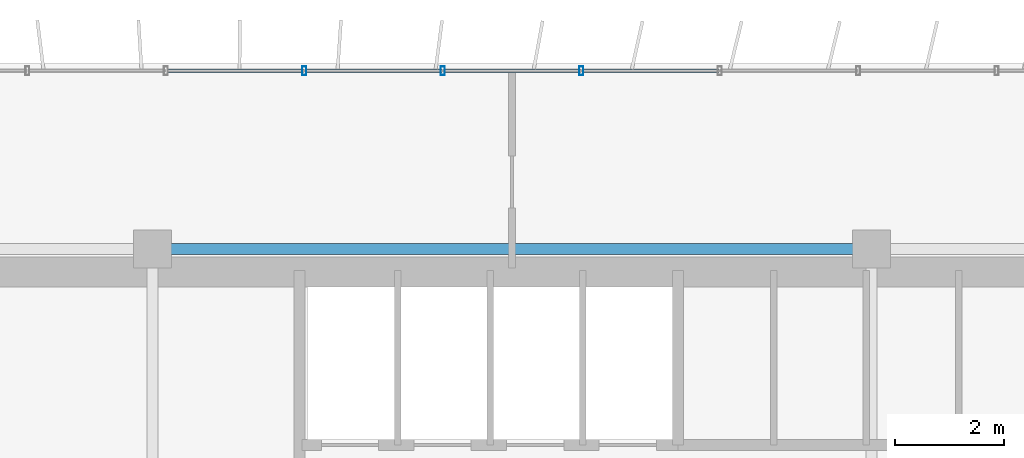
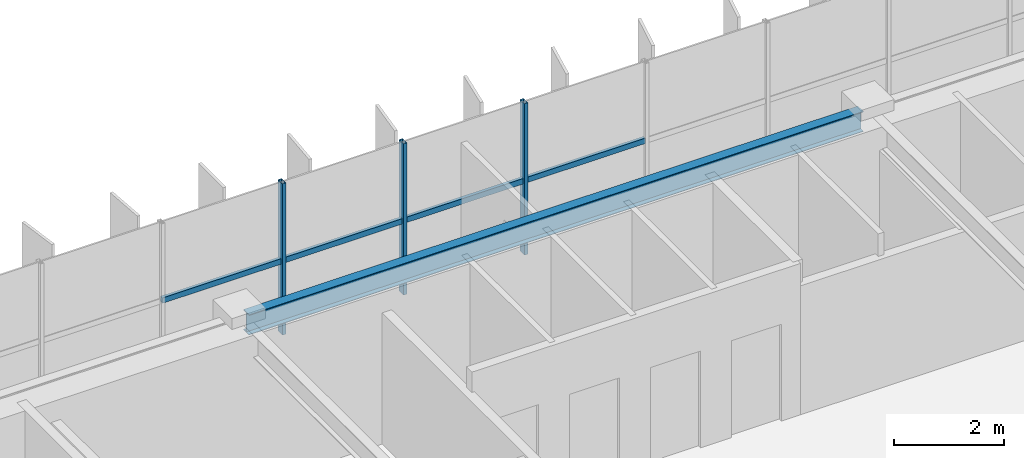
# One storey, part 19 of 34: 7 members, 1 beam, 1 element without a shape of its own.
"""IFC4 building model written with IfcOpenShell, lengths in metres."""

from ifc_helpers import new_model, si_unit, direction, frame, origin, origin_2d, place, context, subcontext, project, spatial, hollow_rectangle, i_section, extrude, source, transform, mapped, material, material_profile, profile_set, type_object, element, aggregate, save


model = new_model("IFC4")

# Units and contexts
model_context = context("Model", 3, precision=1e-05, world=origin(), true_north=direction((0.0, 1.0)))
body_context = subcontext(model_context, "Body", "Model", "MODEL_VIEW")
ifc_project = project(units=[si_unit("LENGTHUNIT", "METRE"), si_unit("AREAUNIT", "SQUARE_METRE"), si_unit("VOLUMEUNIT", "CUBIC_METRE"), si_unit("PLANEANGLEUNIT", "RADIAN"), si_unit("MASSUNIT", "GRAM", prefix="KILO")], contexts=[model_context])

# Site, building, storey
site_placement = place(None, origin())
site = spatial("IfcSite", under=ifc_project, at=site_placement, CompositionType="ELEMENT")
building_placement = place(site_placement, origin())
building = spatial("IfcBuilding", under=site, at=building_placement, Name="Trelvane Seafront Commons", CompositionType="ELEMENT")
storey_placement = place(building_placement, frame((0.0, 0.0, 197.699951171875)))
storey = spatial("IfcBuildingStorey", under=building, at=storey_placement, Name="L51", CompositionType="ELEMENT", Elevation=197.699951171875)

# Beam
ifc_material_1 = material(Name="Steel SM355 (S355)", Category="steel")
ifc_material_profile_1 = material_profile(ifc_material_1, i_section(OverallWidth=0.199951171875, OverallDepth=0.449951171875, WebThickness=0.009033203125, FlangeThickness=0.013916015625, at=origin_2d()), Name="H-450x200x9x14")
ifc_profile_set_1 = profile_set([ifc_material_profile_1], Name="Steel SM355 (S355)")
beam_type = type_object("IfcBeamType", Name="STR-SPD-H450", PredefinedType="SPANDREL", material=ifc_profile_set_1)
shared_shape_1 = source(origin(), body_context, "Body", "SweptSolid", [
    extrude(i_section(OverallWidth=0.199951171875, OverallDepth=0.449951171875, WebThickness=0.009033203125, FlangeThickness=0.013916015625, at=origin_2d()), origin(), (0.0, 0.0, 1.0), 12.89990234375),
])
beam_placement = place(storey_placement, frame((30.75, 45.10009765625, 3.135009765625), z_axis=(1.0, 0.0, 0.0), x_axis=(0.0, 1.0, 0.0)))
element("IfcBeam", 1, at=beam_placement, inside=storey, type_object=beam_type, Name="L51 Primary Girder G-25", PredefinedType="SPANDREL", context=body_context, shape_type="MappedRepresentation", body=[
    mapped(shared_shape_1, transform((0.0, 0.0, 0.0), x_axis=(1.0, 0.0, 0.0), y_axis=(0.0, 1.0, 0.0), z_axis=(0.0, 0.0, 1.0), scale=1.0)),
])

# Curtain wall, members
ifc_material_2 = material(Name="Anodised pale-silver aluminium", Category="aluminium")
curtain_wall_type = type_object("IfcCurtainWallType", Name="ARCH-CW5-UPTOWER", PredefinedType="NOTDEFINED", material=ifc_material_2)
curtain_wall_placement = place(storey_placement, origin())
curtain_wall = element("IfcCurtainWall", 2, at=curtain_wall_placement, inside=storey, type_object=curtain_wall_type, Name="CW-L51-0084", PredefinedType="NOTDEFINED")
ifc_material_profile_2 = material_profile(ifc_material_2, hollow_rectangle(XDim=0.070068359375, YDim=0.1201171875, WallThickness=0.00390625, at=origin_2d()), Name="TRAN-70x120x4")
ifc_profile_set_2 = profile_set([ifc_material_profile_2], Name="Anodised pale-silver aluminium")
member_type_1 = type_object("IfcMemberType", Name="ARCH-CW-TRAN-120", PredefinedType="USERDEFINED", material=ifc_profile_set_2)
shared_shape_2 = source(origin(), body_context, "Body", "SweptSolid", [
    extrude(hollow_rectangle(XDim=0.070068359375, YDim=0.1201171875, WallThickness=0.00390625, at=origin_2d()), origin(), (0.0, 0.0, 1.0), 2.51708984375),
])
member_1_placement = place(storey_placement, frame((30.859130859375, 48.3701171875, 1.613037109375), z_axis=(1.0, 0.0, 0.0), x_axis=(0.0, 1.0, 0.0)))
member_1 = element("IfcMember", 3, at=member_1_placement, type_object=member_type_1, Name="CW-L51-0084-T06", ObjectType="TRANSOM", PredefinedType="USERDEFINED", context=body_context, shape_type="MappedRepresentation", body=[
    mapped(shared_shape_2, transform((0.0, 0.0, 0.0), x_axis=(1.0, 0.0, 0.0), y_axis=(0.0, 1.0, 0.0), z_axis=(0.0, 0.0, 1.0), scale=1.0)),
])
member_2_placement = place(storey_placement, frame((35.94140625, 48.3701171875, 1.613037109375), z_axis=(1.0, 0.0, 0.0), x_axis=(0.0, 1.0, 0.0)))
member_2 = element("IfcMember", 4, at=member_2_placement, type_object=member_type_1, Name="CW-L51-0084-T08", ObjectType="TRANSOM", PredefinedType="USERDEFINED", context=body_context, shape_type="MappedRepresentation", body=[
    mapped(shared_shape_2, transform((0.0, 0.0, 0.0), x_axis=(1.0, 0.0, 0.0), y_axis=(0.0, 1.0, 0.0), z_axis=(0.0, 0.0, 1.0), scale=1.0)),
])
member_3_placement = place(storey_placement, frame((38.482666015625, 48.3701171875, 1.613037109375), z_axis=(1.0, 0.0, 0.0), x_axis=(0.0, 1.0, 0.0)))
member_3 = element("IfcMember", 5, at=member_3_placement, type_object=member_type_1, Name="CW-L51-0084-T09", ObjectType="TRANSOM", PredefinedType="USERDEFINED", context=body_context, shape_type="MappedRepresentation", body=[
    mapped(shared_shape_2, transform((0.0, 0.0, 0.0), x_axis=(1.0, 0.0, 0.0), y_axis=(0.0, 1.0, 0.0), z_axis=(0.0, 0.0, 1.0), scale=1.0)),
])
shared_shape_3 = source(origin(), body_context, "Body", "SweptSolid", [
    extrude(hollow_rectangle(XDim=0.070068359375, YDim=0.1201171875, WallThickness=0.00390625, at=origin_2d()), origin(), (0.0, 0.0, 1.0), 2.517333984375),
])
member_4_placement = place(storey_placement, frame((33.400146484375, 48.3701171875, 1.613037109375), z_axis=(1.0, 0.0, 0.0), x_axis=(0.0, 1.0, 0.0)))
member_4 = element("IfcMember", 6, at=member_4_placement, type_object=member_type_1, Name="CW-L51-0084-T07", ObjectType="TRANSOM", PredefinedType="USERDEFINED", context=body_context, shape_type="MappedRepresentation", body=[
    mapped(shared_shape_3, transform((0.0, 0.0, 0.0), x_axis=(1.0, 0.0, 0.0), y_axis=(0.0, 1.0, 0.0), z_axis=(0.0, 0.0, 1.0), scale=1.0)),
])
ifc_material_profile_3 = material_profile(ifc_material_2, hollow_rectangle(XDim=0.074951171875, YDim=0.159912109375, WallThickness=0.00390625, at=origin_2d()), Name="MULL-75x160x4")
ifc_profile_set_3 = profile_set([ifc_material_profile_3], Name="Anodised pale-silver aluminium")
member_type_2 = type_object("IfcMemberType", Name="ARCH-CW-MULL-160", PredefinedType="MULLION", material=ifc_profile_set_3)
shared_shape_4 = source(origin(), body_context, "Body", "SweptSolid", [
    extrude(hollow_rectangle(XDim=0.074951171875, YDim=0.159912109375, WallThickness=0.00390625, at=origin_2d()), origin(), (0.0, 0.0, 1.0), 3.360107421875),
])
member_5_placement = place(storey_placement, frame((33.38818359375, 48.3701171875, 0.0), z_axis=(0.0, 0.0, 1.0), x_axis=(1.0, 0.0, 0.0)))
member_5 = element("IfcMember", 7, at=member_5_placement, type_object=member_type_2, Name="CW-L51-0084-M07", PredefinedType="MULLION", context=body_context, shape_type="MappedRepresentation", body=[
    mapped(shared_shape_4, transform((0.0, 0.0, 0.0), x_axis=(1.0, 0.0, 0.0), y_axis=(0.0, 1.0, 0.0), z_axis=(0.0, 0.0, 1.0), scale=1.0)),
])
member_6_placement = place(storey_placement, frame((35.929443359375, 48.3701171875, 0.0), z_axis=(0.0, 0.0, 1.0), x_axis=(1.0, 0.0, 0.0)))
member_6 = element("IfcMember", 8, at=member_6_placement, type_object=member_type_2, Name="CW-L51-0084-M08", PredefinedType="MULLION", context=body_context, shape_type="MappedRepresentation", body=[
    mapped(shared_shape_4, transform((0.0, 0.0, 0.0), x_axis=(1.0, 0.0, 0.0), y_axis=(0.0, 1.0, 0.0), z_axis=(0.0, 0.0, 1.0), scale=1.0)),
])
member_7_placement = place(storey_placement, frame((38.470703125, 48.3701171875, 0.0), z_axis=(0.0, 0.0, 1.0), x_axis=(1.0, 0.0, 0.0)))
member_7 = element("IfcMember", 9, at=member_7_placement, type_object=member_type_2, Name="CW-L51-0084-M09", PredefinedType="MULLION", context=body_context, shape_type="MappedRepresentation", body=[
    mapped(shared_shape_4, transform((0.0, 0.0, 0.0), x_axis=(1.0, 0.0, 0.0), y_axis=(0.0, 1.0, 0.0), z_axis=(0.0, 0.0, 1.0), scale=1.0)),
])
aggregate(curtain_wall, [member_5, member_6, member_7, member_1, member_4, member_2, member_3])

save(model, "model.ifc")
